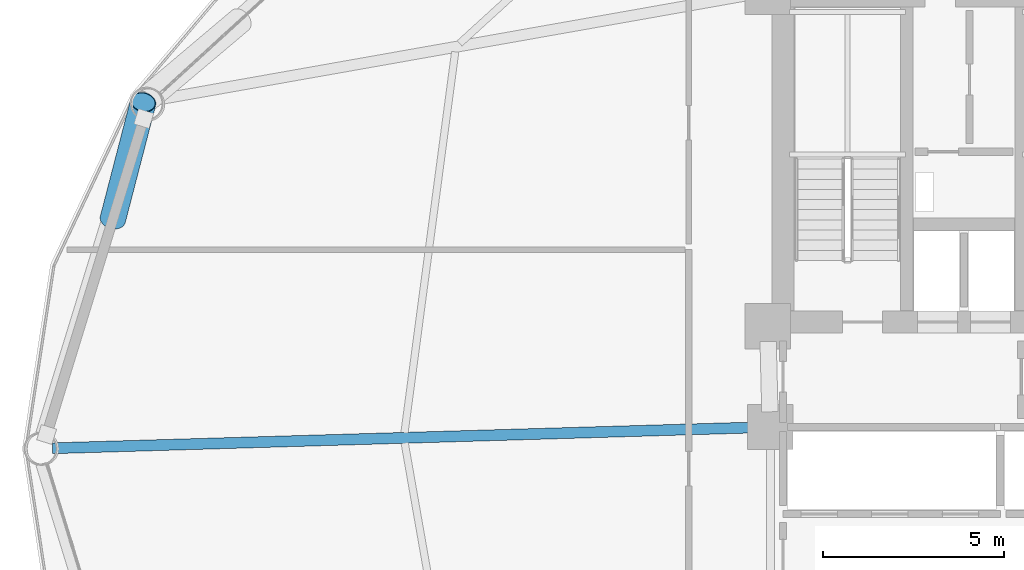
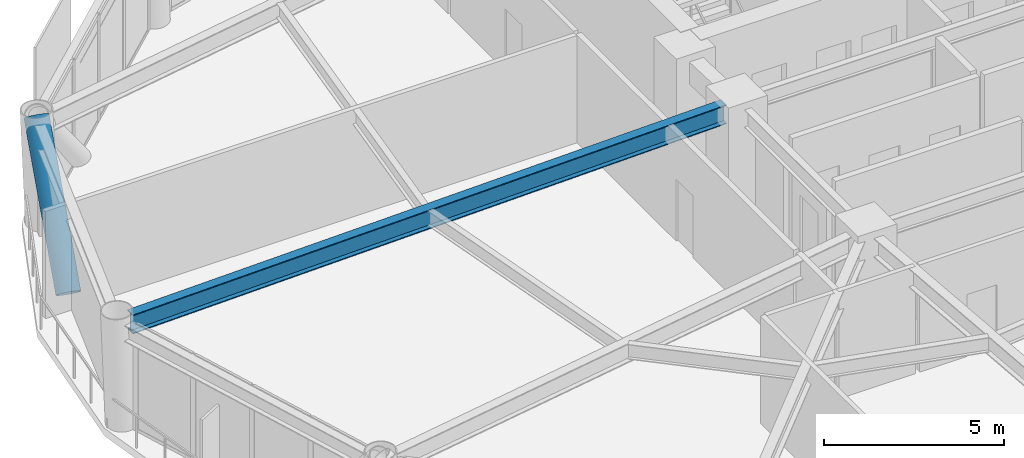
# One storey, part 11 of 26: 1 beam, 1 member.
"""IFC4 building model written with IfcOpenShell, lengths in metres."""

from ifc_helpers import new_model, si_unit, direction, frame, origin, origin_2d, place, context, subcontext, project, spatial, hollow_circle, i_section, extrude, material, material_profile, profile_set, type_object, element, save


model = new_model("IFC4")

# Units and contexts
model_context = context("Model", 3, precision=1e-05, world=origin(), true_north=direction((0.0, 1.0)))
body_context = subcontext(model_context, "Body", "Model", "MODEL_VIEW")
ifc_project = project(units=[si_unit("LENGTHUNIT", "METRE"), si_unit("AREAUNIT", "SQUARE_METRE"), si_unit("VOLUMEUNIT", "CUBIC_METRE"), si_unit("PLANEANGLEUNIT", "RADIAN"), si_unit("MASSUNIT", "GRAM", prefix="KILO")], contexts=[model_context])

# Site, building, storey
site_placement = place(None, origin())
site = spatial("IfcSite", under=ifc_project, at=site_placement, CompositionType="ELEMENT")
building_placement = place(site_placement, origin())
building = spatial("IfcBuilding", under=site, at=building_placement, Name="Varnakorn Sky Granary", CompositionType="ELEMENT")
storey_placement = place(building_placement, frame((0.0, 0.0, 47.10009765625)))
storey = spatial("IfcBuildingStorey", under=building, at=storey_placement, Name="L11", CompositionType="ELEMENT", Elevation=47.10009765625)

# Beam
ifc_material_1 = material(Name="Steel S355JR", Category="steel")
ifc_material_profile_1 = material_profile(ifc_material_1, i_section(OverallWidth=0.300048828125, OverallDepth=0.64990234375, WebThickness=0.01611328125, FlangeThickness=0.031005859375, at=origin_2d()), Name="HE 650 B")
ifc_profile_set_1 = profile_set([ifc_material_profile_1], Name="Steel S355JR")
beam_type = type_object("IfcBeamType", Name="BM-RAD-Z1", PredefinedType="BEAM", material=ifc_profile_set_1)
beam_placement = place(storey_placement, frame((-2.769775390625, 0.587646484375, 3.31494140625), z_axis=(-0.999561709228, -0.029603875514, 0.0), x_axis=(0.029603875514, -0.999561709228, 0.0)))
element("IfcBeam", 1, at=beam_placement, inside=storey, type_object=beam_type, Name="Radial Floor Girder RG07 L11", PredefinedType="BEAM", context=body_context, shape_type="SweptSolid", body=[
    extrude(i_section(OverallWidth=0.300048828125, OverallDepth=0.64990234375, WebThickness=0.01611328125, FlangeThickness=0.031005859375, at=origin_2d()), origin(), (0.0, 0.0, 1.0), 19.405029296875),
])

# Member
ifc_material_2 = material(Name="Steel S460M", Category="steel")
ifc_material_profile_2 = material_profile(ifc_material_2, hollow_circle(Radius=0.35546875, WallThickness=0.02490234375, at=origin_2d()), Name="CHS 711x25")
ifc_profile_set_2 = profile_set([ifc_material_profile_2], Name="Steel S460M")
member_type = type_object("IfcMemberType", Name="MB-DIAG-T0", PredefinedType="BRACE", material=ifc_profile_set_2)
member_placement = place(storey_placement, frame((-20.5009765625, 6.33837890625, -0.130126953125), z_axis=(0.166408674479, 0.64163344679, 0.748742060404), x_axis=(-0.967975175618, 0.251045930833, 0.0)))
element("IfcMember", 2, at=member_placement, inside=storey, type_object=member_type, Name="Perimeter CHS Diagrid Brace DG06 L11", PredefinedType="BRACE", context=body_context, shape_type="SweptSolid", body=[
    extrude(hollow_circle(Radius=0.35546875, WallThickness=0.02490234375, at=origin_2d()), origin(), (0.0, 0.0, 1.0), 5.03515625),
])

save(model, "model.ifc")
